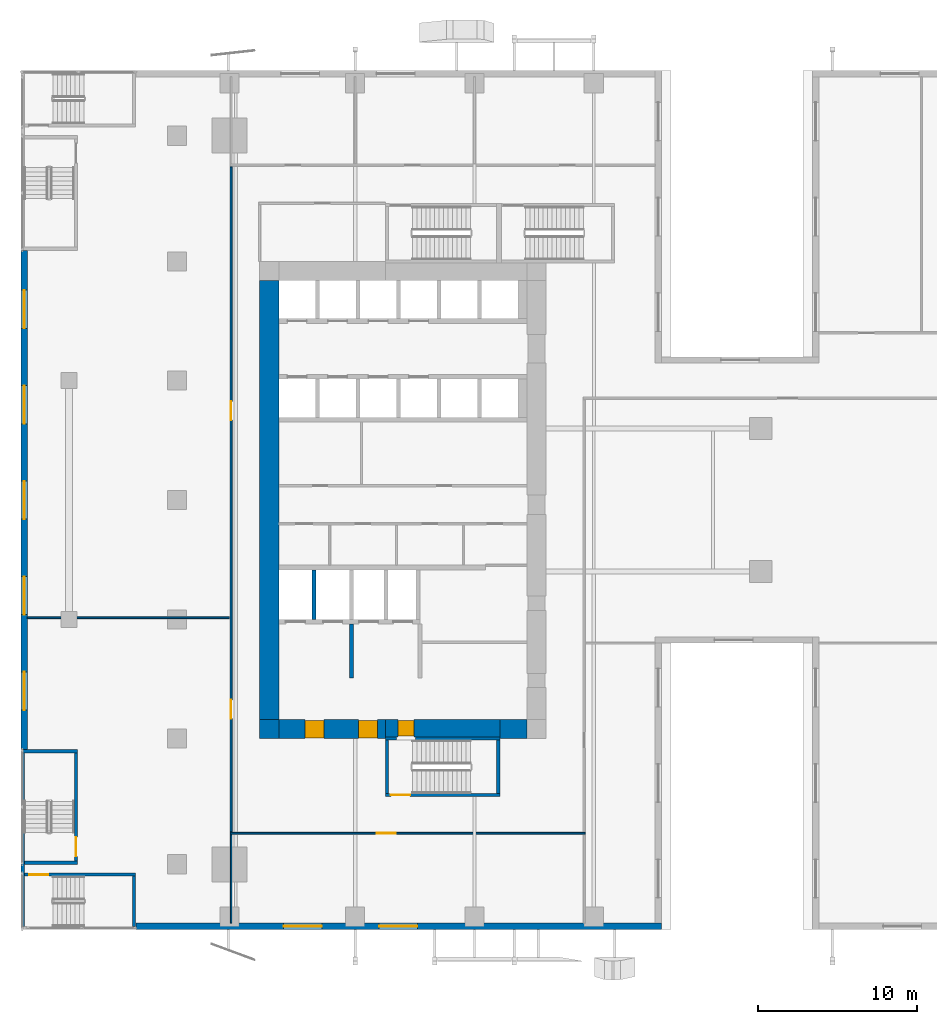
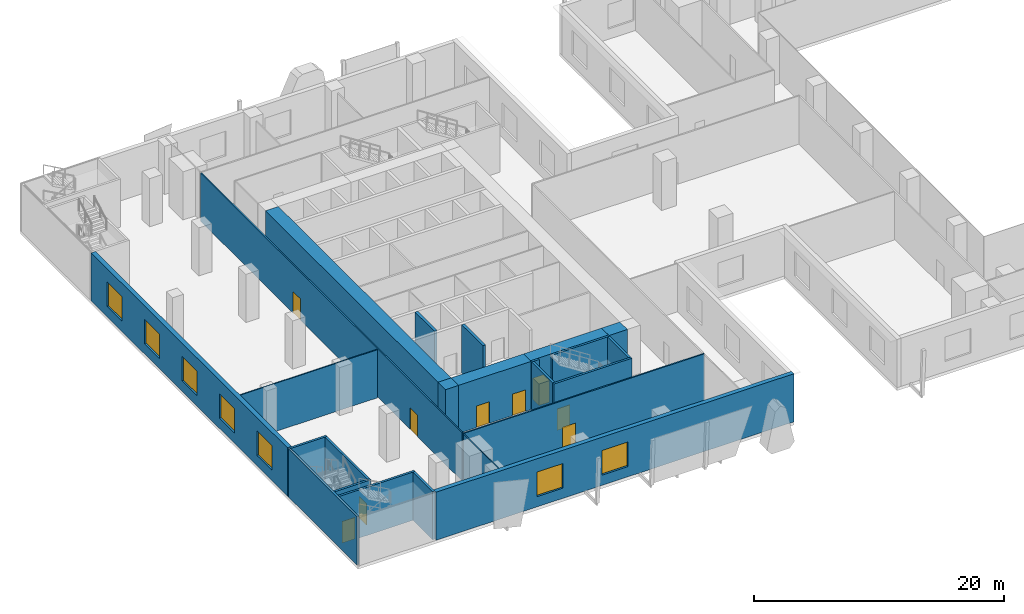
# One storey, part 10 of 22: 24 walls, 9 doors, 7 windows, 16 openings.
"""IFC4 building model written with IfcOpenShell, lengths in metres."""

from ifc_helpers import new_model, si_unit, direction, frame, frame_2d, origin, place, context, subcontext, project, spatial, rectangle, extrude, source, transform, mapped, material, layer, layer_set, type_object, element, fill, save


model = new_model("IFC4")

# Units and contexts
model_context = context("Model", 3, precision=1e-05, world=origin(), true_north=direction((0.0, 1.0)))
body_context = subcontext(model_context, "Body", "Model", "MODEL_VIEW")
ifc_project = project(units=[si_unit("LENGTHUNIT", "METRE"), si_unit("AREAUNIT", "SQUARE_METRE"), si_unit("VOLUMEUNIT", "CUBIC_METRE"), si_unit("PLANEANGLEUNIT", "RADIAN"), si_unit("MASSUNIT", "GRAM", prefix="KILO")], contexts=[model_context])

# Site, building, storey
site_placement = place(None, origin())
site = spatial("IfcSite", under=ifc_project, at=site_placement, CompositionType="ELEMENT")
building_placement = place(site_placement, origin())
building = spatial("IfcBuilding", under=site, at=building_placement, Name="Khomas Fold Tower", CompositionType="ELEMENT")
storey_placement = place(building_placement, frame((0.0, 0.0, 23.5)))
storey = spatial("IfcBuildingStorey", under=building, at=storey_placement, Name="L04", CompositionType="ELEMENT", Elevation=23.5)

# Wall, openings, doors
ifc_material_1 = material(Name="Concrete C70/85", Category="concrete")
ifc_layer_1 = layer(ifc_material_1, 1.199951171875)
ifc_layer_set_1 = layer_set([ifc_layer_1], Name="Concrete C70/85")
wall_type_1 = type_object("IfcWallType", Name="Core wall 1200", PredefinedType="SHEAR", material=ifc_layer_set_1)
shared_shape_1 = source(origin(), body_context, "Body", "SweptSolid", [
    extrude(rectangle(XDim=6.699951171875, YDim=1.199951171875, at=frame_2d((3.35009765625, 0.0))), origin(), (0.0, 0.0, 1.0), 4.699951171875),
])
wall_1_placement = place(storey_placement, frame((7.199951171875, 12.60009765625, 0.0), z_axis=(0.0, 0.0, 1.0), x_axis=(1.0, 0.0, 0.0)))
wall_1 = element("IfcWall", 1, at=wall_1_placement, inside=storey, type_object=wall_type_1, Name="Core wall CW-L-S-B2", PredefinedType="SHEAR", context=body_context, shape_type="MappedRepresentation", body=[
    mapped(shared_shape_1, transform((0.0, 0.0, 0.0))),
])
shared_shape_2 = source(origin(), body_context, "Body", "SweptSolid", [
    extrude(rectangle(XDim=1.199951171875, YDim=2.10009765625, at=frame_2d((0.60009765625, 1.050048828125))), frame((0.0, 0.60986328125, 0.0), z_axis=(0.0, -1.0, 0.0), x_axis=(1.0, 0.0, 0.0)), (0.0, 0.0, 1.0), 1.219970703125),
])
opening_1_placement = place(wall_1_placement, frame((5.0, 0.0, 0.0)))
opening_1 = element("IfcOpeningElement", 2, at=opening_1_placement, cuts=wall_1, Name="Opening 0009", PredefinedType="OPENING", context=body_context, shape_type="MappedRepresentation", body=[
    mapped(shared_shape_2, transform((0.0, 0.0, 0.0))),
])
opening_2_placement = place(wall_1_placement, frame((1.64990234375, 0.0, 0.0)))
opening_2 = element("IfcOpeningElement", 3, at=opening_2_placement, cuts=wall_1, Name="Opening 0009", PredefinedType="OPENING", context=body_context, shape_type="MappedRepresentation", body=[
    mapped(shared_shape_2, transform((0.0, 0.0, 0.0))),
])
ifc_material_2 = material(Name="Steel door leaf", Category="steel")
door_type_1 = type_object("IfcDoorType", Name="Lobby door 1200x2100 right-hand", OperationType="SINGLE_SWING_RIGHT", PredefinedType="DOOR", material=ifc_material_2)
shared_shape_3 = source(origin(), body_context, "Body", "SweptSolid", [
    extrude(rectangle(XDim=1.199951171875, YDim=2.10009765625, at=frame_2d((0.60009765625, 1.050048828125))), frame((0.0, 0.5498046875, 0.0), z_axis=(0.0, -1.0, 0.0), x_axis=(1.0, 0.0, 0.0)), (0.0, 0.0, 1.0), 1.099853515625),
])
door_1_placement = place(opening_1_placement, origin())
door_1 = element("IfcDoor", 4, at=door_1_placement, inside=storey, type_object=door_type_1, Name="Lobby door", OperationType="SINGLE_SWING_RIGHT", OverallHeight=2.10009765625, OverallWidth=1.199951171875, PredefinedType="DOOR", context=body_context, shape_type="MappedRepresentation", body=[
    mapped(shared_shape_3, transform((0.0, 0.0, 0.0))),
])
fill(opening_1, door_1)
door_2_placement = place(opening_2_placement, origin())
door_2 = element("IfcDoor", 5, at=door_2_placement, inside=storey, type_object=door_type_1, Name="Lobby door", OperationType="SINGLE_SWING_RIGHT", OverallHeight=2.10009765625, OverallWidth=1.199951171875, PredefinedType="DOOR", context=body_context, shape_type="MappedRepresentation", body=[
    mapped(shared_shape_3, transform((0.0, 0.0, 0.0))),
])
fill(opening_2, door_2)

# Wall
ifc_material_3 = material(Name="Concrete C70/85", Category="concrete")
ifc_layer_2 = layer(ifc_material_3, 1.199951171875)
ifc_layer_set_2 = layer_set([ifc_layer_2], Name="Concrete C70/85")
wall_type_2 = type_object("IfcWallType", Name="Core corner wall 1200", PredefinedType="SHEAR", material=ifc_layer_set_2)
shared_shape_4 = source(origin(), body_context, "Body", "SweptSolid", [
    extrude(rectangle(XDim=1.199951171875, YDim=1.199951171875, at=frame_2d((0.60009765625, 0.0))), origin(), (0.0, 0.0, 1.0), 4.699951171875),
])
wall_2_placement = place(storey_placement, frame((6.0, 12.60009765625, 0.0), z_axis=(0.0, 0.0, 1.0), x_axis=(1.0, 0.0, 0.0)))
element("IfcWall", 6, at=wall_2_placement, inside=storey, type_object=wall_type_2, Name="Core wall CW-L-SW-B2", PredefinedType="SHEAR", context=body_context, shape_type="MappedRepresentation", body=[
    mapped(shared_shape_4, transform((0.0, 0.0, 0.0))),
])

# Wall, opening, door
ifc_material_4 = material(Name="Concrete C70/85", Category="concrete")
ifc_layer_3 = layer(ifc_material_4, 1.10009765625)
ifc_layer_set_3 = layer_set([ifc_layer_3], Name="Concrete C70/85")
wall_type_3 = type_object("IfcWallType", Name="Core wall 1100", PredefinedType="SHEAR", material=ifc_layer_set_3)
shared_shape_5 = source(origin(), body_context, "Body", "SweptSolid", [
    extrude(rectangle(XDim=7.2001953125, YDim=1.10009765625, at=frame_2d((3.60009765625, 0.0))), origin(), (0.0, 0.0, 1.0), 4.699951171875),
])
wall_3_placement = place(storey_placement, frame((13.89990234375, 12.64990234375, 0.0), z_axis=(0.0, 0.0, 1.0), x_axis=(1.0, 0.0, 0.0)))
wall_3 = element("IfcWall", 7, at=wall_3_placement, inside=storey, type_object=wall_type_3, Name="Core wall CW-L-S-B2-1", PredefinedType="SHEAR", context=body_context, shape_type="MappedRepresentation", body=[
    mapped(shared_shape_5, transform((0.0, 0.0, 0.0))),
])
shared_shape_6 = source(origin(), body_context, "Body", "SweptSolid", [
    extrude(rectangle(XDim=1.0, YDim=2.10009765625, at=frame_2d((0.5, 1.050048828125))), frame((0.0, 0.56005859375, 0.0), z_axis=(0.0, -1.0, 0.0), x_axis=(1.0, 0.0, 0.0)), (0.0, 0.0, 1.0), 1.1201171875),
])
opening_3_placement = place(wall_3_placement, frame((0.800048828125, 0.0, 0.0)))
opening_3 = element("IfcOpeningElement", 8, at=opening_3_placement, cuts=wall_3, Name="Opening 0010", PredefinedType="OPENING", context=body_context, shape_type="MappedRepresentation", body=[
    mapped(shared_shape_6, transform((0.0, 0.0, 0.0))),
])
ifc_material_5 = material(Name="Steel door leaf", Category="steel")
door_type_2 = type_object("IfcDoorType", Name="Stair door 1000x2100 right-hand", OperationType="SINGLE_SWING_RIGHT", PredefinedType="DOOR", material=ifc_material_5)
shared_shape_7 = source(origin(), body_context, "Body", "SweptSolid", [
    extrude(rectangle(XDim=1.0, YDim=2.10009765625, at=frame_2d((0.5, 1.050048828125))), frame((0.0, 0.5, 0.0), z_axis=(0.0, -1.0, 0.0), x_axis=(1.0, 0.0, 0.0)), (0.0, 0.0, 1.0), 1.0),
])
door_3_placement = place(opening_3_placement, origin())
door_3 = element("IfcDoor", 9, at=door_3_placement, inside=storey, type_object=door_type_2, Name="Stair door", OperationType="SINGLE_SWING_RIGHT", OverallHeight=2.10009765625, OverallWidth=1.0, PredefinedType="DOOR", context=body_context, shape_type="MappedRepresentation", body=[
    mapped(shared_shape_7, transform((0.0, 0.0, 0.0))),
])
fill(opening_3, door_3)

# Walls
shared_shape_8 = source(origin(), body_context, "Body", "SweptSolid", [
    extrude(rectangle(XDim=1.699951171875, YDim=1.199951171875, at=frame_2d((0.85009765625, 0.0))), origin(), (0.0, 0.0, 1.0), 4.699951171875),
])
wall_4_placement = place(storey_placement, frame((21.10009765625, 12.60009765625, 0.0), z_axis=(0.0, 0.0, 1.0), x_axis=(1.0, 0.0, 0.0)))
element("IfcWall", 10, at=wall_4_placement, inside=storey, type_object=wall_type_1, Name="Core wall CW-L-S-B2-2", PredefinedType="SHEAR", context=body_context, shape_type="MappedRepresentation", body=[
    mapped(shared_shape_8, transform((0.0, 0.0, 0.0))),
])
shared_shape_9 = source(origin(), body_context, "Body", "SweptSolid", [
    extrude(rectangle(XDim=27.60009765625, YDim=1.199951171875, at=frame_2d((13.800048828125, 0.0))), origin(), (0.0, 0.0, 1.0), 4.699951171875),
])
wall_5_placement = place(storey_placement, frame((6.60009765625, 13.199951171875, 0.0), z_axis=(0.0, 0.0, 1.0), x_axis=(0.0, 1.0, 0.0)))
element("IfcWall", 11, at=wall_5_placement, inside=storey, type_object=wall_type_1, Name="Core wall CW-L-W-B2", PredefinedType="SHEAR", context=body_context, shape_type="MappedRepresentation", body=[
    mapped(shared_shape_9, transform((0.0, 0.0, 0.0))),
])

# Wall, opening, door
ifc_material_6 = material(Name="Concrete C30/37", Category="concrete")
ifc_layer_4 = layer(ifc_material_6, 0.199951171875)
ifc_layer_set_4 = layer_set([ifc_layer_4], Name="Concrete C30/37")
wall_type_4 = type_object("IfcWallType", Name="Stair wall PW5 200", PredefinedType="PARTITIONING", material=ifc_layer_set_4)
shared_shape_10 = source(origin(), body_context, "Body", "SweptSolid", [
    extrude(rectangle(XDim=7.0, YDim=0.199951171875, at=frame_2d((3.5, 0.0))), origin(), (0.0, 0.0, 1.0), 4.699951171875),
])
wall_6_placement = place(storey_placement, frame((-8.800048828125, 3.449951171875, 0.0), z_axis=(0.0, 0.0, 1.0), x_axis=(1.0, 0.0, 0.0)))
wall_6 = element("IfcWall", 12, at=wall_6_placement, inside=storey, type_object=wall_type_4, Name="Stair wall", PredefinedType="PARTITIONING", context=body_context, shape_type="MappedRepresentation", body=[
    mapped(shared_shape_10, transform((0.0, 0.0, 0.0))),
])
shared_shape_11 = source(origin(), body_context, "Body", "SweptSolid", [
    extrude(rectangle(XDim=1.199951171875, YDim=2.10009765625, at=frame_2d((0.60009765625, 1.050048828125))), frame((0.0, 0.10986328125, 0.0), z_axis=(0.0, -1.0, 0.0), x_axis=(1.0, 0.0, 0.0)), (0.0, 0.0, 1.0), 0.219970703125),
])
opening_4_placement = place(wall_6_placement, frame((0.300048828125, 0.0, 0.0)))
opening_4 = element("IfcOpeningElement", 13, at=opening_4_placement, cuts=wall_6, Name="Opening 0017", PredefinedType="OPENING", context=body_context, shape_type="MappedRepresentation", body=[
    mapped(shared_shape_11, transform((0.0, 0.0, 0.0))),
])
ifc_material_7 = material(Name="Steel door leaf", Category="steel")
door_type_3 = type_object("IfcDoorType", Name="Stair door 1200x2100 left-hand", OperationType="SINGLE_SWING_LEFT", PredefinedType="DOOR", material=ifc_material_7)
shared_shape_12 = source(origin(), body_context, "Body", "SweptSolid", [
    extrude(rectangle(XDim=1.199951171875, YDim=2.10009765625, at=frame_2d((0.60009765625, 1.050048828125))), frame((0.0, 0.02490234375, 0.0), z_axis=(0.0, -1.0, 0.0), x_axis=(1.0, 0.0, 0.0)), (0.0, 0.0, 1.0), 0.050048828125),
])
door_4_placement = place(opening_4_placement, origin())
door_4 = element("IfcDoor", 14, at=door_4_placement, inside=storey, type_object=door_type_3, Name="Stair door", OperationType="SINGLE_SWING_LEFT", OverallHeight=2.10009765625, OverallWidth=1.199951171875, PredefinedType="DOOR", context=body_context, shape_type="MappedRepresentation", body=[
    mapped(shared_shape_12, transform((0.0, 0.0, 0.0))),
])
fill(opening_4, door_4)

# Walls
ifc_material_8 = material(Name="Concrete C50/60", Category="concrete")
ifc_layer_5 = layer(ifc_material_8, 0.199951171875)
ifc_layer_set_5 = layer_set([ifc_layer_5], Name="Concrete C50/60")
wall_type_5 = type_object("IfcWallType", Name="Stair wall 200", PredefinedType="SHEAR", material=ifc_layer_set_5)
shared_shape_13 = source(origin(), body_context, "Body", "SweptSolid", [
    extrude(rectangle(XDim=0.7001953125, YDim=0.199951171875, at=frame_2d((0.35009765625, 0.0))), origin(), (0.0, 0.0, 1.0), 4.699951171875),
])
wall_7_placement = place(storey_placement, frame((13.89990234375, 12.0, 0.0), z_axis=(0.0, 0.0, 1.0), x_axis=(1.0, 0.0, 0.0)))
element("IfcWall", 15, at=wall_7_placement, inside=storey, type_object=wall_type_5, Name="Stair wall SW-ST2-N", PredefinedType="SHEAR", context=body_context, shape_type="MappedRepresentation", body=[
    mapped(shared_shape_13, transform((0.0, 0.0, 0.0))),
])
shared_shape_14 = source(origin(), body_context, "Body", "SweptSolid", [
    extrude(rectangle(XDim=5.300048828125, YDim=0.199951171875, at=frame_2d((2.64990234375, 0.0))), origin(), (0.0, 0.0, 1.0), 4.699951171875),
])
wall_8_placement = place(storey_placement, frame((15.800048828125, 12.0, 0.0), z_axis=(0.0, 0.0, 1.0), x_axis=(1.0, 0.0, 0.0)))
element("IfcWall", 16, at=wall_8_placement, inside=storey, type_object=wall_type_5, Name="Stair wall SW-ST2-NB", PredefinedType="SHEAR", context=body_context, shape_type="MappedRepresentation", body=[
    mapped(shared_shape_14, transform((0.0, 0.0, 0.0))),
])

# Wall, opening, door
shared_shape_15 = source(origin(), body_context, "Body", "SweptSolid", [
    extrude(rectangle(XDim=7.2001953125, YDim=0.199951171875, at=frame_2d((3.60009765625, 0.0))), origin(), (0.0, 0.0, 1.0), 4.699951171875),
])
wall_9_placement = place(storey_placement, frame((13.89990234375, 8.449951171875, 0.0), z_axis=(0.0, 0.0, 1.0), x_axis=(1.0, 0.0, 0.0)))
wall_9 = element("IfcWall", 17, at=wall_9_placement, inside=storey, type_object=wall_type_5, Name="Stair wall SW-ST2-S", PredefinedType="SHEAR", context=body_context, shape_type="MappedRepresentation", body=[
    mapped(shared_shape_15, transform((0.0, 0.0, 0.0))),
])
opening_5_placement = place(wall_9_placement, frame((0.35009765625, 0.0, 0.0)))
opening_5 = element("IfcOpeningElement", 18, at=opening_5_placement, cuts=wall_9, Name="Opening SD-ST2", PredefinedType="OPENING", context=body_context, shape_type="MappedRepresentation", body=[
    mapped(shared_shape_11, transform((0.0, 0.0, 0.0))),
])
ifc_material_9 = material(Name="Steel door leaf", Category="steel")
door_type_4 = type_object("IfcDoorType", Name="Stair door 1200x2100 right-hand", OperationType="SINGLE_SWING_RIGHT", PredefinedType="DOOR", material=ifc_material_9)
door_5_placement = place(opening_5_placement, origin())
door_5 = element("IfcDoor", 19, at=door_5_placement, inside=storey, type_object=door_type_4, Name="Stair door", OperationType="SINGLE_SWING_RIGHT", OverallHeight=2.10009765625, OverallWidth=1.199951171875, PredefinedType="DOOR", context=body_context, shape_type="MappedRepresentation", body=[
    mapped(shared_shape_12, transform((0.0, 0.0, 0.0))),
])
fill(opening_5, door_5)

# Walls
shared_shape_16 = source(origin(), body_context, "Body", "SweptSolid", [
    extrude(rectangle(XDim=3.349853515625, YDim=0.199951171875, at=frame_2d((1.6748046875, 0.0))), origin(), (0.0, 0.0, 1.0), 4.699951171875),
])
for number, where, z_axis, x_axis, name in (
    (20, (21.0, 8.550048828125, 0.0), (0.0, 0.0, 1.0), (0.0, 1.0, 0.0), "Stair wall SW-ST2-E"),
    (21, (14.0, 8.550048828125, 0.0), (0.0, 0.0, 1.0), (0.0, 1.0, 0.0), "Stair wall SW-ST2-W"),
):
    element("IfcWall", number, at=place(storey_placement, frame(where, z_axis=z_axis, x_axis=x_axis)), inside=storey, type_object=wall_type_5, Name=name, PredefinedType="SHEAR", context=body_context, shape_type="MappedRepresentation", body=[
        mapped(shared_shape_16, transform((0.0, 0.0, 0.0))),
    ])
ifc_material_10 = material(Name="Concrete C50/60", Category="concrete")
ifc_layer_6 = layer(ifc_material_10, 0.25)
ifc_layer_set_6 = layer_set([ifc_layer_6], Name="Concrete C50/60")
wall_type_6 = type_object("IfcWallType", Name="Shaft wall 250", PredefinedType="STANDARD", material=ifc_layer_set_6)
shared_shape_17 = source(origin(), body_context, "Body", "SweptSolid", [
    extrude(rectangle(XDim=3.10009765625, YDim=0.25, at=frame_2d((1.550048828125, 0.0))), origin(), (0.0, 0.0, 1.0), 4.699951171875),
])
wall_10_placement = place(storey_placement, frame((9.425048828125, 19.5, 0.0), z_axis=(0.0, 0.0, 1.0), x_axis=(0.0, 1.0, 0.0)))
element("IfcWall", 22, at=wall_10_placement, inside=storey, type_object=wall_type_6, Name="Core wall SW-FS-P1", PredefinedType="STANDARD", context=body_context, shape_type="MappedRepresentation", body=[
    mapped(shared_shape_17, transform((0.0, 0.0, 0.0))),
])
ifc_material_11 = material(Name="Concrete C50/60", Category="concrete")
ifc_layer_7 = layer(ifc_material_11, 0.25)
ifc_layer_set_7 = layer_set([ifc_layer_7], Name="Concrete C50/60")
wall_type_7 = type_object("IfcWallType", Name="Lobby wall 250", PredefinedType="STANDARD", material=ifc_layer_set_7)
shared_shape_18 = source(origin(), body_context, "Body", "SweptSolid", [
    extrude(rectangle(XDim=3.39990234375, YDim=0.25, at=frame_2d((1.699951171875, 0.0))), origin(), (0.0, 0.0, 1.0), 4.699951171875),
])
wall_11_placement = place(storey_placement, frame((11.77490234375, 15.800048828125, 0.0), z_axis=(0.0, 0.0, 1.0), x_axis=(0.0, 1.0, 0.0)))
element("IfcWall", 23, at=wall_11_placement, inside=storey, type_object=wall_type_7, Name="Core wall SW-FS-SEP", PredefinedType="STANDARD", context=body_context, shape_type="MappedRepresentation", body=[
    mapped(shared_shape_18, transform((0.0, 0.0, 0.0))),
])

# Wall, openings, windows
ifc_material_12 = material(Name="Concrete C40/50", Category="concrete")
ifc_layer_8 = layer(ifc_material_12, 0.39990234375)
ifc_layer_set_8 = layer_set([ifc_layer_8], Name="Concrete C40/50")
wall_type_8 = type_object("IfcWallType", Name="Stone-clad concrete wall 400", PredefinedType="SOLIDWALL", material=ifc_layer_set_8)
shared_shape_19 = source(origin(), body_context, "Body", "SweptSolid", [
    extrude(rectangle(XDim=31.3798828125, YDim=0.39990234375, at=frame_2d((15.68994140625, 0.0))), origin(), (0.0, 0.0, 1.0), 4.699951171875),
])
wall_12_placement = place(storey_placement, frame((-8.800048828125, 42.68994140625, 0.0), z_axis=(0.0, 0.0, 1.0), x_axis=(0.0, -1.0, 0.0)))
wall_12 = element("IfcWall", 24, at=wall_12_placement, inside=storey, type_object=wall_type_8, Name="Podium wall", PredefinedType="SOLIDWALL", context=body_context, shape_type="MappedRepresentation", body=[
    mapped(shared_shape_19, transform((0.0, 0.0, 0.0))),
])
shared_shape_20 = source(origin(), body_context, "Body", "SweptSolid", [
    extrude(rectangle(XDim=2.39990234375, YDim=2.39990234375, at=frame_2d((1.199951171875, 1.199951171875))), frame((0.0, 0.2099609375, 0.0), z_axis=(0.0, -1.0, 0.0), x_axis=(1.0, 0.0, 0.0)), (0.0, 0.0, 1.0), 0.419921875),
])
opening_6_placement = place(wall_12_placement, frame((2.5, 0.0, 1.0)))
opening_6 = element("IfcOpeningElement", 25, at=opening_6_placement, cuts=wall_12, Name="Opening PD-WN", PredefinedType="OPENING", context=body_context, shape_type="MappedRepresentation", body=[
    mapped(shared_shape_20, transform((0.0, 0.0, 0.0))),
])
opening_7_placement = place(wall_12_placement, frame((8.5, 0.0, 1.0)))
opening_7 = element("IfcOpeningElement", 26, at=opening_7_placement, cuts=wall_12, Name="Opening PD-WN", PredefinedType="OPENING", context=body_context, shape_type="MappedRepresentation", body=[
    mapped(shared_shape_20, transform((0.0, 0.0, 0.0))),
])
opening_8_placement = place(wall_12_placement, frame((14.5, 0.0, 1.0)))
opening_8 = element("IfcOpeningElement", 27, at=opening_8_placement, cuts=wall_12, Name="Opening PD-WN", PredefinedType="OPENING", context=body_context, shape_type="MappedRepresentation", body=[
    mapped(shared_shape_20, transform((0.0, 0.0, 0.0))),
])
opening_9_placement = place(wall_12_placement, frame((20.5, 0.0, 1.0)))
opening_9 = element("IfcOpeningElement", 28, at=opening_9_placement, cuts=wall_12, Name="Opening PD-WN", PredefinedType="OPENING", context=body_context, shape_type="MappedRepresentation", body=[
    mapped(shared_shape_20, transform((0.0, 0.0, 0.0))),
])
opening_10_placement = place(wall_12_placement, frame((26.5, 0.0, 1.0)))
opening_10 = element("IfcOpeningElement", 29, at=opening_10_placement, cuts=wall_12, Name="Opening PD-WN", PredefinedType="OPENING", context=body_context, shape_type="MappedRepresentation", body=[
    mapped(shared_shape_20, transform((0.0, 0.0, 0.0))),
])
ifc_material_13 = material(Name="Aluminium framed double glazing", Category="aluminium")
window_type = type_object("IfcWindowType", Name="Podium window 2400 x 2400", PartitioningType="SINGLE_PANEL", PredefinedType="WINDOW", material=ifc_material_13)
shared_shape_21 = source(origin(), body_context, "Body", "SweptSolid", [
    extrude(rectangle(XDim=2.39990234375, YDim=2.39990234375, at=frame_2d((1.199951171875, 1.199951171875))), frame((0.0, 0.030029296875, 0.0), z_axis=(0.0, -1.0, 0.0), x_axis=(1.0, 0.0, 0.0)), (0.0, 0.0, 1.0), 0.06005859375),
])
window_1_placement = place(opening_6_placement, origin())
window_1 = element("IfcWindow", 30, at=window_1_placement, inside=storey, type_object=window_type, Name="Podium window", OverallHeight=2.39990234375, OverallWidth=2.39990234375, PartitioningType="SINGLE_PANEL", PredefinedType="WINDOW", context=body_context, shape_type="MappedRepresentation", body=[
    mapped(shared_shape_21, transform((0.0, 0.0, 0.0))),
])
fill(opening_6, window_1)
window_2_placement = place(opening_7_placement, origin())
window_2 = element("IfcWindow", 31, at=window_2_placement, inside=storey, type_object=window_type, Name="Podium window", OverallHeight=2.39990234375, OverallWidth=2.39990234375, PartitioningType="SINGLE_PANEL", PredefinedType="WINDOW", context=body_context, shape_type="MappedRepresentation", body=[
    mapped(shared_shape_21, transform((0.0, 0.0, 0.0))),
])
fill(opening_7, window_2)
window_3_placement = place(opening_8_placement, origin())
window_3 = element("IfcWindow", 32, at=window_3_placement, inside=storey, type_object=window_type, Name="Podium window", OverallHeight=2.39990234375, OverallWidth=2.39990234375, PartitioningType="SINGLE_PANEL", PredefinedType="WINDOW", context=body_context, shape_type="MappedRepresentation", body=[
    mapped(shared_shape_21, transform((0.0, 0.0, 0.0))),
])
fill(opening_8, window_3)
window_4_placement = place(opening_9_placement, origin())
window_4 = element("IfcWindow", 33, at=window_4_placement, inside=storey, type_object=window_type, Name="Podium window", OverallHeight=2.39990234375, OverallWidth=2.39990234375, PartitioningType="SINGLE_PANEL", PredefinedType="WINDOW", context=body_context, shape_type="MappedRepresentation", body=[
    mapped(shared_shape_21, transform((0.0, 0.0, 0.0))),
])
fill(opening_9, window_4)
window_5_placement = place(opening_10_placement, origin())
window_5 = element("IfcWindow", 34, at=window_5_placement, inside=storey, type_object=window_type, Name="Podium window", OverallHeight=2.39990234375, OverallWidth=2.39990234375, PartitioningType="SINGLE_PANEL", PredefinedType="WINDOW", context=body_context, shape_type="MappedRepresentation", body=[
    mapped(shared_shape_21, transform((0.0, 0.0, 0.0))),
])
fill(opening_10, window_5)

shared_shape_22 = source(origin(), body_context, "Body", "SweptSolid", [
    extrude(rectangle(XDim=33.0400390625, YDim=0.39990234375, at=frame_2d((16.52001953125, 0.0))), origin(), (0.0, 0.0, 1.0), 4.699951171875),
])
wall_13_placement = place(storey_placement, frame((-1.7900390625, 0.199951171875, 0.0), z_axis=(0.0, 0.0, 1.0), x_axis=(1.0, 0.0, 0.0)))
wall_13 = element("IfcWall", 35, at=wall_13_placement, inside=storey, type_object=wall_type_8, Name="Podium wall", PredefinedType="SOLIDWALL", context=body_context, shape_type="MappedRepresentation", body=[
    mapped(shared_shape_22, transform((0.0, 0.0, 0.0))),
])
opening_11_placement = place(wall_13_placement, frame((9.300048828125, 0.0, 1.0)))
opening_11 = element("IfcOpeningElement", 36, at=opening_11_placement, cuts=wall_13, Name="Opening PD-WN", PredefinedType="OPENING", context=body_context, shape_type="MappedRepresentation", body=[
    mapped(shared_shape_20, transform((0.0, 0.0, 0.0))),
])
opening_12_placement = place(wall_13_placement, frame((15.300048828125, 0.0, 1.0)))
opening_12 = element("IfcOpeningElement", 37, at=opening_12_placement, cuts=wall_13, Name="Opening PD-WN", PredefinedType="OPENING", context=body_context, shape_type="MappedRepresentation", body=[
    mapped(shared_shape_20, transform((0.0, 0.0, 0.0))),
])
window_6_placement = place(opening_11_placement, origin())
window_6 = element("IfcWindow", 38, at=window_6_placement, inside=storey, type_object=window_type, Name="Podium window", OverallHeight=2.39990234375, OverallWidth=2.39990234375, PartitioningType="SINGLE_PANEL", PredefinedType="WINDOW", context=body_context, shape_type="MappedRepresentation", body=[
    mapped(shared_shape_21, transform((0.0, 0.0, 0.0))),
])
fill(opening_11, window_6)
window_7_placement = place(opening_12_placement, origin())
window_7 = element("IfcWindow", 39, at=window_7_placement, inside=storey, type_object=window_type, Name="Podium window", OverallHeight=2.39990234375, OverallWidth=2.39990234375, PartitioningType="SINGLE_PANEL", PredefinedType="WINDOW", context=body_context, shape_type="MappedRepresentation", body=[
    mapped(shared_shape_21, transform((0.0, 0.0, 0.0))),
])
fill(opening_12, window_7)

# Walls
shared_shape_23 = source(origin(), body_context, "Body", "SweptSolid", [
    extrude(rectangle(XDim=10.900146484375, YDim=0.199951171875, at=frame_2d((5.4501953125, 0.0))), origin(), (0.0, 0.0, 1.0), 4.699951171875),
])
wall_14_placement = place(storey_placement, frame((-8.89990234375, 0.199951171875, 0.0), z_axis=(0.0, 0.0, 1.0), x_axis=(0.0, 1.0, 0.0)))
element("IfcWall", 40, at=wall_14_placement, inside=storey, type_object=wall_type_4, Name="Stair wall", PredefinedType="PARTITIONING", context=body_context, shape_type="MappedRepresentation", body=[
    mapped(shared_shape_23, transform((0.0, 0.0, 0.0))),
])
shared_shape_24 = source(origin(), body_context, "Body", "SweptSolid", [
    extrude(rectangle(XDim=3.150146484375, YDim=0.199951171875, at=frame_2d((1.5751953125, 0.0))), origin(), (0.0, 0.0, 1.0), 4.699951171875),
])
wall_15_placement = place(storey_placement, frame((-1.89990234375, 0.199951171875, 0.0), z_axis=(0.0, 0.0, 1.0), x_axis=(0.0, 1.0, 0.0)))
element("IfcWall", 41, at=wall_15_placement, inside=storey, type_object=wall_type_4, Name="Stair wall", PredefinedType="PARTITIONING", context=body_context, shape_type="MappedRepresentation", body=[
    mapped(shared_shape_24, transform((0.0, 0.0, 0.0))),
])
shared_shape_25 = source(origin(), body_context, "Body", "SweptSolid", [
    extrude(rectangle(XDim=3.35009765625, YDim=0.199951171875, at=frame_2d((1.675048828125, 0.0))), origin(), (0.0, 0.0, 1.0), 4.699951171875),
])
wall_16_placement = place(storey_placement, frame((-8.800048828125, 4.199951171875, 0.0), z_axis=(0.0, 0.0, 1.0), x_axis=(1.0, 0.0, 0.0)))
element("IfcWall", 42, at=wall_16_placement, inside=storey, type_object=wall_type_4, Name="Stair wall", PredefinedType="PARTITIONING", context=body_context, shape_type="MappedRepresentation", body=[
    mapped(shared_shape_25, transform((0.0, 0.0, 0.0))),
])
shared_shape_26 = source(origin(), body_context, "Body", "SweptSolid", [
    extrude(rectangle(XDim=3.550048828125, YDim=0.199951171875, at=frame_2d((1.77490234375, 0.0))), origin(), (0.0, 0.0, 1.0), 4.699951171875),
])
wall_17_placement = place(storey_placement, frame((-9.0, 11.199951171875, 0.0), z_axis=(0.0, 0.0, 1.0), x_axis=(1.0, 0.0, 0.0)))
element("IfcWall", 43, at=wall_17_placement, inside=storey, type_object=wall_type_4, Name="Stair wall", PredefinedType="PARTITIONING", context=body_context, shape_type="MappedRepresentation", body=[
    mapped(shared_shape_26, transform((0.0, 0.0, 0.0))),
])

# Wall, opening, door
shared_shape_27 = source(origin(), body_context, "Body", "SweptSolid", [
    extrude(rectangle(XDim=6.800048828125, YDim=0.199951171875, at=frame_2d((3.39990234375, 0.0))), origin(), (0.0, 0.0, 1.0), 4.699951171875),
])
wall_18_placement = place(storey_placement, frame((-5.550048828125, 4.300048828125, 0.0), z_axis=(0.0, 0.0, 1.0), x_axis=(0.0, 1.0, 0.0)))
wall_18 = element("IfcWall", 44, at=wall_18_placement, inside=storey, type_object=wall_type_4, Name="Stair wall", PredefinedType="PARTITIONING", context=body_context, shape_type="MappedRepresentation", body=[
    mapped(shared_shape_27, transform((0.0, 0.0, 0.0))),
])
opening_13_placement = place(wall_18_placement, frame((0.300048828125, 0.0, 0.0)))
opening_13 = element("IfcOpeningElement", 45, at=opening_13_placement, cuts=wall_18, Name="Opening 0017", PredefinedType="OPENING", context=body_context, shape_type="MappedRepresentation", body=[
    mapped(shared_shape_11, transform((0.0, 0.0, 0.0))),
])
door_6_placement = place(opening_13_placement, origin())
door_6 = element("IfcDoor", 46, at=door_6_placement, inside=storey, type_object=door_type_3, Name="Stair door", OperationType="SINGLE_SWING_LEFT", OverallHeight=2.10009765625, OverallWidth=1.199951171875, PredefinedType="DOOR", context=body_context, shape_type="MappedRepresentation", body=[
    mapped(shared_shape_12, transform((0.0, 0.0, 0.0))),
])
fill(opening_13, door_6)

# Wall
ifc_material_14 = material(Name="Plasterboard partition")
ifc_layer_9 = layer(ifc_material_14, 0.10009765625)
ifc_layer_set_9 = layer_set([ifc_layer_9], Name="Plasterboard partition")
wall_type_9 = type_object("IfcWallType", Name="Partition PW1 100", PredefinedType="PARTITIONING", material=ifc_layer_set_9)
shared_shape_28 = source(origin(), body_context, "Body", "SweptSolid", [
    extrude(rectangle(XDim=5.550048828125, YDim=0.10009765625, at=frame_2d((2.77490234375, 0.0))), origin(), (0.0, 0.0, 1.0), 4.699951171875),
])
wall_19_placement = place(storey_placement, frame((4.199951171875, 0.39990234375, 0.0), z_axis=(0.0, 0.0, 1.0), x_axis=(0.0, 1.0, 0.0)))
element("IfcWall", 47, at=wall_19_placement, inside=storey, type_object=wall_type_9, Name="Partition", PredefinedType="PARTITIONING", context=body_context, shape_type="MappedRepresentation", body=[
    mapped(shared_shape_28, transform((0.0, 0.0, 0.0))),
])

# Wall, opening, door
ifc_material_15 = material(Name="Plasterboard partition")
ifc_layer_10 = layer(ifc_material_15, 0.125)
ifc_layer_set_10 = layer_set([ifc_layer_10], Name="Plasterboard partition")
wall_type_10 = type_object("IfcWallType", Name="Partition PW2 125", PredefinedType="PARTITIONING", material=ifc_layer_set_10)
shared_shape_29 = source(origin(), body_context, "Body", "SweptSolid", [
    extrude(rectangle(XDim=22.300048828125, YDim=0.125, at=frame_2d((11.14990234375, 0.0))), origin(), (0.0, 0.0, 1.0), 4.699951171875),
])
wall_20_placement = place(storey_placement, frame((4.14990234375, 6.050048828125, 0.0), z_axis=(0.0, 0.0, 1.0), x_axis=(1.0, 0.0, 0.0)))
wall_20 = element("IfcWall", 48, at=wall_20_placement, inside=storey, type_object=wall_type_10, Name="Partition", PredefinedType="PARTITIONING", context=body_context, shape_type="MappedRepresentation", body=[
    mapped(shared_shape_29, transform((0.0, 0.0, 0.0))),
])
shared_shape_30 = source(origin(), body_context, "Body", "SweptSolid", [
    extrude(rectangle(XDim=1.199951171875, YDim=2.10009765625, at=frame_2d((0.60009765625, 1.050048828125))), frame((0.0, 0.072509765625, 0.0), z_axis=(0.0, -1.0, 0.0), x_axis=(1.0, 0.0, 0.0)), (0.0, 0.0, 1.0), 0.14501953125),
])
opening_14_placement = place(wall_20_placement, frame((9.199951171875, 0.0, 0.0)))
opening_14 = element("IfcOpeningElement", 49, at=opening_14_placement, cuts=wall_20, Name="Opening 0013", PredefinedType="OPENING", context=body_context, shape_type="MappedRepresentation", body=[
    mapped(shared_shape_30, transform((0.0, 0.0, 0.0))),
])
ifc_material_16 = material(Name="Timber door leaf", Category="wood")
door_type_5 = type_object("IfcDoorType", Name="Door 1200x2100 left-hand", OperationType="SINGLE_SWING_LEFT", PredefinedType="DOOR", material=ifc_material_16)
door_7_placement = place(opening_14_placement, origin())
door_7 = element("IfcDoor", 50, at=door_7_placement, inside=storey, type_object=door_type_5, Name="Door", OperationType="SINGLE_SWING_LEFT", OverallHeight=2.10009765625, OverallWidth=1.199951171875, PredefinedType="DOOR", context=body_context, shape_type="MappedRepresentation", body=[
    mapped(shared_shape_12, transform((0.0, 0.0, 0.0))),
])
fill(opening_14, door_7)

# Wall, openings, doors
shared_shape_31 = source(origin(), body_context, "Body", "SweptSolid", [
    extrude(rectangle(XDim=41.800048828125, YDim=0.125, at=frame_2d((20.89990234375, 0.0))), origin(), (0.0, 0.0, 1.0), 4.699951171875),
])
wall_21_placement = place(storey_placement, frame((4.199951171875, 6.14990234375, 0.0), z_axis=(0.0, 0.0, 1.0), x_axis=(0.0, 1.0, 0.0)))
wall_21 = element("IfcWall", 51, at=wall_21_placement, inside=storey, type_object=wall_type_10, Name="Partition", PredefinedType="PARTITIONING", context=body_context, shape_type="MappedRepresentation", body=[
    mapped(shared_shape_31, transform((0.0, 0.0, 0.0))),
])
opening_15_placement = place(wall_21_placement, frame((7.10009765625, 0.0, 0.0)))
opening_15 = element("IfcOpeningElement", 52, at=opening_15_placement, cuts=wall_21, Name="Opening 0001", PredefinedType="OPENING", context=body_context, shape_type="MappedRepresentation", body=[
    mapped(shared_shape_30, transform((0.0, 0.0, 0.0))),
])
opening_16_placement = place(wall_21_placement, frame((25.85009765625, 0.0, 0.0)))
opening_16 = element("IfcOpeningElement", 53, at=opening_16_placement, cuts=wall_21, Name="Opening 0013", PredefinedType="OPENING", context=body_context, shape_type="MappedRepresentation", body=[
    mapped(shared_shape_30, transform((0.0, 0.0, 0.0))),
])
ifc_material_17 = material(Name="Timber door leaf", Category="wood")
door_type_6 = type_object("IfcDoorType", Name="Door 1200x2100 right-hand", OperationType="SINGLE_SWING_RIGHT", PredefinedType="DOOR", material=ifc_material_17)
door_8_placement = place(opening_15_placement, origin())
door_8 = element("IfcDoor", 54, at=door_8_placement, inside=storey, type_object=door_type_6, Name="Door", OperationType="SINGLE_SWING_RIGHT", OverallHeight=2.10009765625, OverallWidth=1.199951171875, PredefinedType="DOOR", context=body_context, shape_type="MappedRepresentation", body=[
    mapped(shared_shape_12, transform((0.0, 0.0, 0.0))),
])
fill(opening_15, door_8)
door_9_placement = place(opening_16_placement, origin())
door_9 = element("IfcDoor", 55, at=door_9_placement, inside=storey, type_object=door_type_5, Name="Door", OperationType="SINGLE_SWING_LEFT", OverallHeight=2.10009765625, OverallWidth=1.199951171875, PredefinedType="DOOR", context=body_context, shape_type="MappedRepresentation", body=[
    mapped(shared_shape_12, transform((0.0, 0.0, 0.0))),
])
fill(opening_16, door_9)

# Wall
shared_shape_32 = source(origin(), body_context, "Body", "SweptSolid", [
    extrude(rectangle(XDim=12.7001953125, YDim=0.10009765625, at=frame_2d((6.35009765625, 0.0))), origin(), (0.0, 0.0, 1.0), 4.699951171875),
])
wall_22_placement = place(storey_placement, frame((-8.60009765625, 19.60009765625, 0.0), z_axis=(0.0, 0.0, 1.0), x_axis=(1.0, 0.0, 0.0)))
element("IfcWall", 56, at=wall_22_placement, inside=storey, type_object=wall_type_9, Name="Partition", PredefinedType="PARTITIONING", context=body_context, shape_type="MappedRepresentation", body=[
    mapped(shared_shape_32, transform((0.0, 0.0, 0.0))),
])

save(model, "model.ifc")
